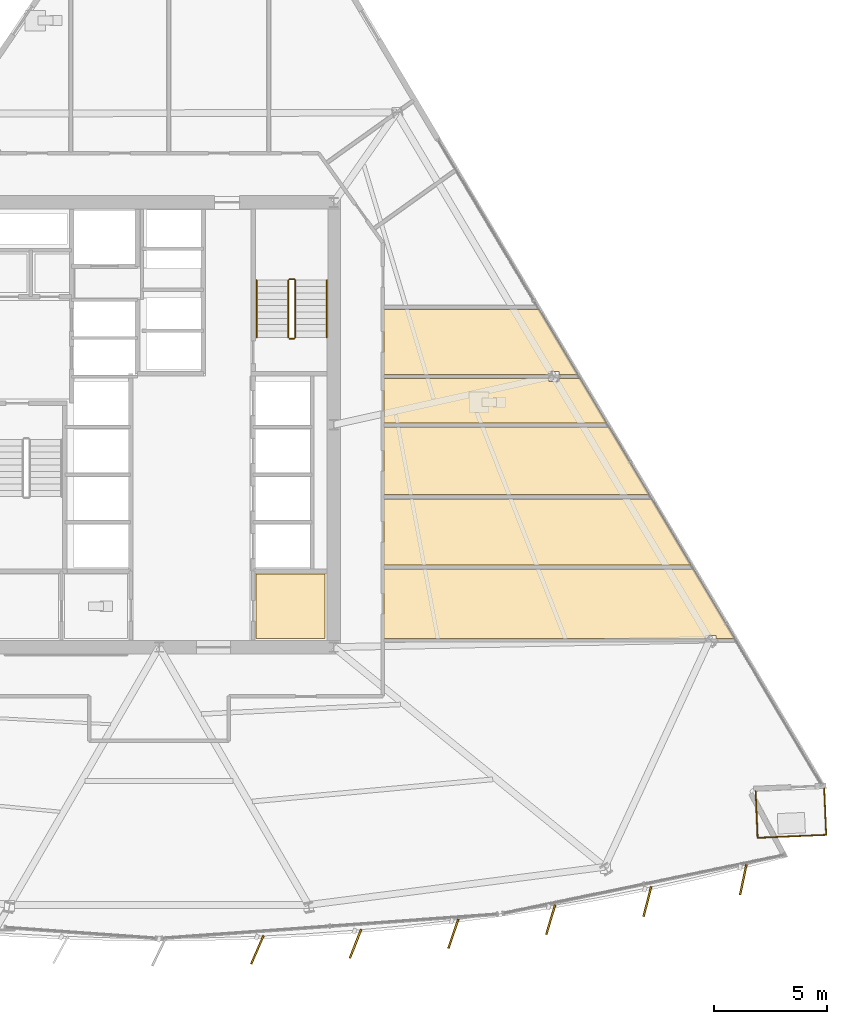
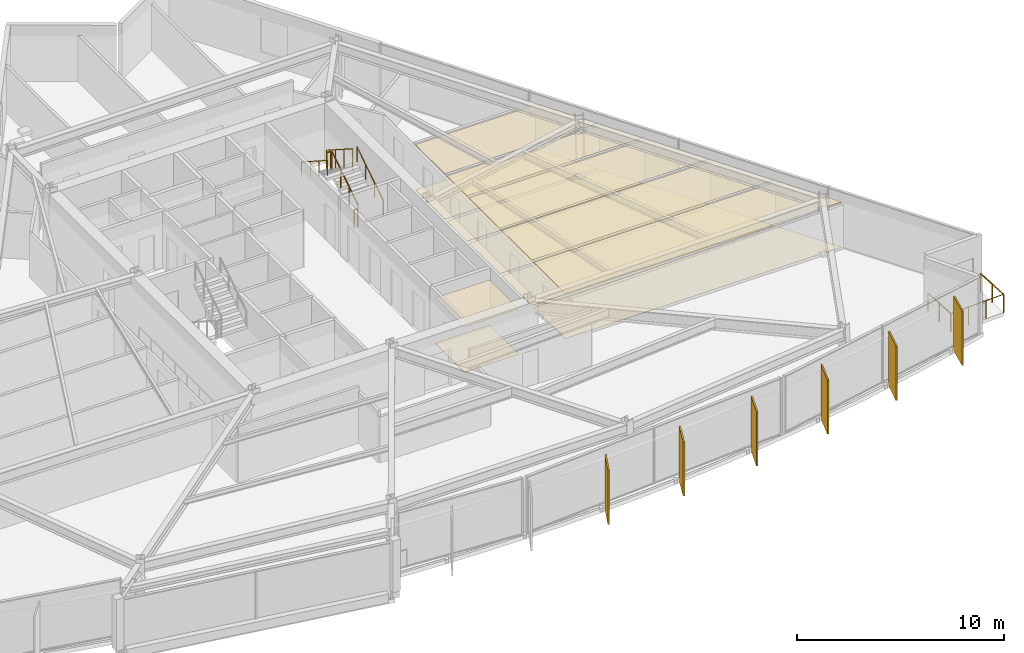
# One storey, part 15 of 17: 12 coverings, 9 railings, 6 shading devices.
"""IFC4 building model written with IfcOpenShell, lengths in metres."""

from ifc_helpers import new_model, si_unit, direction, frame, origin, origin_2d, place, context, subcontext, project, spatial, polyline, rectangle, circle, outline, extrude, material, layer, layer_set, type_object, element, save


model = new_model("IFC4")

# Units and contexts
model_context = context("Model", 3, precision=1e-05, world=origin(), true_north=direction((0.0, 1.0)))
body_context = subcontext(model_context, "Body", "Model", "MODEL_VIEW")
ifc_project = project(units=[si_unit("LENGTHUNIT", "METRE"), si_unit("AREAUNIT", "SQUARE_METRE"), si_unit("VOLUMEUNIT", "CUBIC_METRE"), si_unit("PLANEANGLEUNIT", "RADIAN"), si_unit("MASSUNIT", "GRAM", prefix="KILO")], contexts=[model_context])

# Site, building, storey
site_placement = place(None, origin())
site = spatial("IfcSite", under=ifc_project, at=site_placement, CompositionType="ELEMENT")
building_placement = place(site_placement, origin())
building = spatial("IfcBuilding", under=site, at=building_placement, Name="Savorim Split Tower", CompositionType="ELEMENT")
storey_placement = place(building_placement, frame((0.0, 0.0, 58.800048828125)))
storey = spatial("IfcBuildingStorey", under=building, at=storey_placement, Name="L15", CompositionType="ELEMENT", Elevation=58.800048828125)

# Coverings
ifc_material_1 = material(Name="Mineral Fibre Acoustic Ceiling")
ifc_layer_1 = layer(ifc_material_1, 0.02490234375)
ifc_layer_set_1 = layer_set([ifc_layer_1], Name="COV-CEIL-25")
covering_type_1 = type_object("IfcCoveringType", Name="COV-CEIL-25", PredefinedType="CEILING", material=ifc_layer_set_1)
covering_1_placement = place(storey_placement, frame((0.0, 0.0, 2.669921875)))
element("IfcCovering", 1, at=covering_1_placement, inside=storey, type_object=covering_type_1, Name="L15 Core IT Server Room Acoustic Ceiling", PredefinedType="CEILING", context=body_context, shape_type="SweptSolid", body=[
    extrude(outline(polyline([(4.280029296875, -6.179931640625), (4.280029296875, -9.02001953125), (7.320068359375, -9.02001953125), (7.320068359375, -6.179931640625), (4.280029296875, -6.179931640625)])), origin(), (0.0, 0.0, 1.0), 0.025146484375),
])
covering_2_placement = place(storey_placement, frame((0.0, 0.0, 2.669921875)))
element("IfcCovering", 2, at=covering_2_placement, inside=storey, type_object=covering_type_1, Name="L15 Maker Workshop Acoustic Ceiling", PredefinedType="CEILING", context=body_context, shape_type="SweptSolid", body=[
    extrude(outline(polyline([(24.53662109375, -8.87841796875), (24.53662109375, -9.010986328125), (25.364013671875, -9.010986328125), (25.36572265625, -9.010986328125), (23.554931640625, -5.965576171875), (9.919921875, -5.965576171875), (9.919921875, -9.010986328125), (24.104736328125, -9.010986328125), (24.104736328125, -8.87841796875), (24.53662109375, -8.87841796875)])), origin(), (0.0, 0.0, 1.0), 0.025146484375),
])
covering_3_placement = place(storey_placement, frame((0.0, 0.0, 2.669921875)))
element("IfcCovering", 3, at=covering_3_placement, inside=storey, type_object=covering_type_1, Name="L15 Maker Workshop Acoustic Ceiling", PredefinedType="CEILING", context=body_context, shape_type="SweptSolid", body=[
    extrude(outline(polyline([(23.44189453125, -5.775390625), (21.71533203125, -2.871826171875), (9.919921875, -2.871826171875), (9.919921875, -5.775390625), (23.44189453125, -5.775390625)])), origin(), (0.0, 0.0, 1.0), 0.025146484375),
])
covering_4_placement = place(storey_placement, frame((0.0, 0.0, 2.669921875)))
element("IfcCovering", 4, at=covering_4_placement, inside=storey, type_object=covering_type_1, Name="L15 Quiet Study Room Acoustic Ceiling", PredefinedType="CEILING", context=body_context, shape_type="SweptSolid", body=[
    extrude(outline(polyline([(21.602294921875, -2.681884765625), (19.83349609375, 0.292724609375), (9.919921875, 0.292724609375), (9.919921875, -2.681884765625), (21.602294921875, -2.681884765625)])), origin(), (0.0, 0.0, 1.0), 0.025146484375),
])
covering_5_placement = place(storey_placement, frame((0.0, 0.0, 2.669921875)))
element("IfcCovering", 5, at=covering_5_placement, inside=storey, type_object=covering_type_1, Name="L15 Shared Bathroom Acoustic Ceiling", PredefinedType="CEILING", context=body_context, shape_type="SweptSolid", body=[
    extrude(outline(polyline([(17.186279296875, 2.30126953125), (17.186279296875, 2.43359375), (9.919921875, 2.43359375), (9.919921875, 0.48291015625), (19.720703125, 0.48291015625), (18.541015625, 2.466796875), (18.541015625, 2.43359375), (17.618408203125, 2.43359375), (17.618408203125, 2.30126953125), (17.186279296875, 2.30126953125)])), origin(), (0.0, 0.0, 1.0), 0.025146484375),
])
covering_6_placement = place(storey_placement, frame((0.0, 0.0, 2.669921875)))
element("IfcCovering", 6, at=covering_6_placement, inside=storey, type_object=covering_type_1, Name="L15 Maker Workshop Acoustic Ceiling", PredefinedType="CEILING", context=body_context, shape_type="SweptSolid", body=[
    extrude(outline(polyline([(17.618408203125, 2.756103515625), (17.618408203125, 2.623779296875), (18.44580078125, 2.623779296875), (18.447509765625, 2.623779296875), (16.74462890625, 5.48779296875), (9.919921875, 5.48779296875), (9.919921875, 2.623779296875), (17.186279296875, 2.623779296875), (17.186279296875, 2.756103515625), (17.618408203125, 2.756103515625)])), origin(), (0.0, 0.0, 1.0), 0.025146484375),
])
ifc_material_2 = material(Name="Porcelain Stoneware Flooring", Category="masonry")
ifc_layer_2 = layer(ifc_material_2, 0.02001953125)
ifc_layer_set_2 = layer_set([ifc_layer_2], Name="COV-FLOR-20")
covering_type_2 = type_object("IfcCoveringType", Name="COV-FLOR-20", PredefinedType="FLOORING", material=ifc_layer_set_2)
covering_7_placement = place(storey_placement, origin())
element("IfcCovering", 7, at=covering_7_placement, inside=storey, type_object=covering_type_2, Name="L15 Core IT Server Room Porcelain Flooring", PredefinedType="FLOORING", context=body_context, shape_type="SweptSolid", body=[
    extrude(outline(polyline([(4.280029296875, -6.179931640625), (4.280029296875, -9.02001953125), (7.320068359375, -9.02001953125), (7.320068359375, -6.179931640625), (4.280029296875, -6.179931640625)])), origin(), (0.0, 0.0, 1.0), 0.02001953125),
])
covering_8_placement = place(storey_placement, origin())
element("IfcCovering", 8, at=covering_8_placement, inside=storey, type_object=covering_type_2, Name="L15 Maker Workshop Porcelain Flooring", PredefinedType="FLOORING", context=body_context, shape_type="SweptSolid", body=[
    extrude(outline(polyline([(24.53662109375, -8.87841796875), (24.53662109375, -9.010986328125), (25.364013671875, -9.010986328125), (25.36572265625, -9.010986328125), (23.554931640625, -5.965576171875), (9.919921875, -5.965576171875), (9.919921875, -9.010986328125), (24.104736328125, -9.010986328125), (24.104736328125, -8.87841796875), (24.53662109375, -8.87841796875)])), origin(), (0.0, 0.0, 1.0), 0.02001953125),
])
covering_9_placement = place(storey_placement, origin())
element("IfcCovering", 9, at=covering_9_placement, inside=storey, type_object=covering_type_2, Name="L15 Maker Workshop Porcelain Flooring", PredefinedType="FLOORING", context=body_context, shape_type="SweptSolid", body=[
    extrude(outline(polyline([(23.44189453125, -5.775390625), (21.71533203125, -2.871826171875), (9.919921875, -2.871826171875), (9.919921875, -5.775390625), (23.44189453125, -5.775390625)])), origin(), (0.0, 0.0, 1.0), 0.02001953125),
])
covering_10_placement = place(storey_placement, origin())
element("IfcCovering", 10, at=covering_10_placement, inside=storey, type_object=covering_type_2, Name="L15 Quiet Study Room Porcelain Flooring", PredefinedType="FLOORING", context=body_context, shape_type="SweptSolid", body=[
    extrude(outline(polyline([(21.602294921875, -2.681884765625), (19.83349609375, 0.292724609375), (9.919921875, 0.292724609375), (9.919921875, -2.681884765625), (21.602294921875, -2.681884765625)])), origin(), (0.0, 0.0, 1.0), 0.02001953125),
])
covering_11_placement = place(storey_placement, origin())
element("IfcCovering", 11, at=covering_11_placement, inside=storey, type_object=covering_type_2, Name="L15 Shared Bathroom Porcelain Flooring", PredefinedType="FLOORING", context=body_context, shape_type="SweptSolid", body=[
    extrude(outline(polyline([(17.186279296875, 2.30126953125), (17.186279296875, 2.43359375), (9.919921875, 2.43359375), (9.919921875, 0.48291015625), (19.720703125, 0.48291015625), (18.541015625, 2.466796875), (18.541015625, 2.43359375), (17.618408203125, 2.43359375), (17.618408203125, 2.30126953125), (17.186279296875, 2.30126953125)])), origin(), (0.0, 0.0, 1.0), 0.02001953125),
])
covering_12_placement = place(storey_placement, origin())
element("IfcCovering", 12, at=covering_12_placement, inside=storey, type_object=covering_type_2, Name="L15 Maker Workshop Porcelain Flooring", PredefinedType="FLOORING", context=body_context, shape_type="SweptSolid", body=[
    extrude(outline(polyline([(17.618408203125, 2.756103515625), (17.618408203125, 2.623779296875), (18.44580078125, 2.623779296875), (18.447509765625, 2.623779296875), (16.74462890625, 5.48779296875), (9.919921875, 5.48779296875), (9.919921875, 2.623779296875), (17.186279296875, 2.623779296875), (17.186279296875, 2.756103515625), (17.618408203125, 2.756103515625)])), origin(), (0.0, 0.0, 1.0), 0.02001953125),
])

# Railings
ifc_material_3 = material(Name="Galvanised Painted Steel Balustrade", Category="steel")
railing_type_1 = type_object("IfcRailingType", Name="RLG-BAL-1100", PredefinedType="BALUSTRADE", material=ifc_material_3)
railing_1_placement = place(storey_placement, frame((29.31640625, -15.626708984375, 0.0)))
element("IfcRailing", 13, at=railing_1_placement, inside=storey, type_object=railing_type_1, Name="L15 Tree Balcony Guardrail SE-1", PredefinedType="BALUSTRADE", context=body_context, shape_type="SweptSolid", body=[
    extrude(circle(Radius=0.02392578125, at=origin_2d()), frame((0.0, 0.0, 1.076171875), z_axis=(0.042398364463, -0.999100785052, 0.0), x_axis=(0.999100785052, 0.042398364463, 0.0)), (0.0, 0.0, 1.0), 2.050048828125),
    extrude(circle(Radius=0.02099609375, at=origin_2d()), origin(), (0.0, 0.0, 1.0), 1.052001953125),
    extrude(circle(Radius=0.02099609375, at=origin_2d()), frame((0.04345703125, -1.02392578125, 0.0)), (0.0, 0.0, 1.0), 1.052001953125),
    extrude(circle(Radius=0.02099609375, at=origin_2d()), frame((0.0869140625, -2.048095703125, 0.0)), (0.0, 0.0, 1.0), 1.052001953125),
])
railing_2_placement = place(storey_placement, frame((29.4033203125, -17.6748046875, 0.0)))
element("IfcRailing", 14, at=railing_2_placement, inside=storey, type_object=railing_type_1, Name="L15 Tree Balcony Guardrail SE-2", PredefinedType="BALUSTRADE", context=body_context, shape_type="SweptSolid", body=[
    extrude(circle(Radius=0.02392578125, at=origin_2d()), frame((0.0, 0.0, 1.076171875), z_axis=(-0.999096059369, -0.042509577207, 0.0), x_axis=(0.042509577207, -0.999096059369, 0.0)), (0.0, 0.0, 1.0), 3.026611328125),
    extrude(circle(Radius=0.02099609375, at=origin_2d()), origin(), (0.0, 0.0, 1.0), 1.052001953125),
    extrude(circle(Radius=0.02099609375, at=origin_2d()), frame((-1.008056640625, -0.04296875, 0.0)), (0.0, 0.0, 1.0), 1.052001953125),
    extrude(circle(Radius=0.02099609375, at=origin_2d()), frame((-2.015869140625, -0.085693359375, 0.0)), (0.0, 0.0, 1.0), 1.052001953125),
    extrude(circle(Radius=0.02099609375, at=origin_2d()), frame((-3.02392578125, -0.128662109375, 0.0)), (0.0, 0.0, 1.0), 1.052001953125),
])
railing_3_placement = place(storey_placement, frame((26.37939453125, -17.803466796875, 0.0)))
element("IfcRailing", 15, at=railing_3_placement, inside=storey, type_object=railing_type_1, Name="L15 Tree Balcony Guardrail SE-3", PredefinedType="BALUSTRADE", context=body_context, shape_type="SweptSolid", body=[
    extrude(circle(Radius=0.02392578125, at=origin_2d()), frame((0.0, 0.0, 1.076171875), z_axis=(-0.042517246, 0.999095733047, 0.0), x_axis=(-0.999095733047, -0.042517246, 0.0)), (0.0, 0.0, 1.0), 2.050048828125),
    extrude(circle(Radius=0.02099609375, at=origin_2d()), origin(), (0.0, 0.0, 1.0), 1.052001953125),
    extrude(circle(Radius=0.02099609375, at=origin_2d()), frame((-0.04345703125, 1.02392578125, 0.0)), (0.0, 0.0, 1.0), 1.052001953125),
    extrude(circle(Radius=0.02099609375, at=origin_2d()), frame((-0.087158203125, 2.048095703125, 0.0)), (0.0, 0.0, 1.0), 1.052001953125),
])
railing_type_2 = type_object("IfcRailingType", Name="RLG-HR-900", PredefinedType="HANDRAIL", material=ifc_material_3)
railing_4_placement = place(storey_placement, frame((7.39990234375, 4.25, 0.179931640625)))
element("IfcRailing", 16, at=railing_4_placement, inside=storey, type_object=railing_type_2, Name="L15 ST-2 stair handrail 1", PredefinedType="HANDRAIL", context=body_context, shape_type="SweptSolid", body=[
    extrude(circle(Radius=0.02392578125, at=origin_2d()), frame((0.0, 0.0, 0.8759765625), z_axis=(0.0, 0.841162588446, 0.540782303519), x_axis=(-1.0, 0.0, 0.0)), (0.0, 0.0, 1.0), 2.995849609375),
    extrude(circle(Radius=0.02099609375, at=origin_2d()), origin(), (0.0, 0.0, 1.0), 0.851806640625),
    extrude(circle(Radius=0.02099609375, at=origin_2d()), frame((0.0, 0.840087890625, 0.5400390625)), (0.0, 0.0, 1.0), 0.851806640625),
    extrude(circle(Radius=0.02099609375, at=origin_2d()), frame((0.0, 1.679931640625, 1.080078125)), (0.0, 0.0, 1.0), 0.851806640625),
    extrude(circle(Radius=0.02099609375, at=origin_2d()), frame((0.0, 2.52001953125, 1.6201171875)), (0.0, 0.0, 1.0), 0.851806640625),
])
railing_5_placement = place(storey_placement, frame((4.300048828125, 6.77001953125, 1.97998046875)))
element("IfcRailing", 17, at=railing_5_placement, inside=storey, type_object=railing_type_2, Name="L15 ST-2 stair handrail 2", PredefinedType="HANDRAIL", context=body_context, shape_type="SweptSolid", body=[
    extrude(circle(Radius=0.02392578125, at=origin_2d()), frame((0.0, 0.0, 0.8759765625), z_axis=(0.0, -0.841199657755, 0.540724639528), x_axis=(1.0, 0.0, 0.0)), (0.0, 0.0, 1.0), 2.995849609375),
    extrude(circle(Radius=0.02099609375, at=origin_2d()), origin(), (0.0, 0.0, 1.0), 0.851806640625),
    extrude(circle(Radius=0.02099609375, at=origin_2d()), frame((0.0, -0.840087890625, 0.5400390625)), (0.0, 0.0, 1.0), 0.851806640625),
    extrude(circle(Radius=0.02099609375, at=origin_2d()), frame((0.0, -1.679931640625, 1.079833984375)), (0.0, 0.0, 1.0), 0.851806640625),
    extrude(circle(Radius=0.02099609375, at=origin_2d()), frame((0.0, -2.52001953125, 1.619873046875)), (0.0, 0.0, 1.0), 0.851806640625),
])
railing_type_3 = type_object("IfcRailingType", Name="RLG-STG-1100", PredefinedType="BALUSTRADE", material=ifc_material_3)
railing_6_placement = place(storey_placement, frame((6.0, 4.25, 0.179931640625)))
element("IfcRailing", 18, at=railing_6_placement, inside=storey, type_object=railing_type_3, Name="L15 ST-2 stair guard 1", PredefinedType="BALUSTRADE", context=body_context, shape_type="SweptSolid", body=[
    extrude(circle(Radius=0.02392578125, at=origin_2d()), frame((0.0, 0.0, 1.076171875), z_axis=(0.0, 0.841162588446, 0.540782303519), x_axis=(-1.0, 0.0, 0.0)), (0.0, 0.0, 1.0), 2.995849609375),
    extrude(circle(Radius=0.02099609375, at=origin_2d()), origin(), (0.0, 0.0, 1.0), 1.052001953125),
    extrude(circle(Radius=0.02099609375, at=origin_2d()), frame((0.0, 0.840087890625, 0.5400390625)), (0.0, 0.0, 1.0), 1.052001953125),
    extrude(circle(Radius=0.02099609375, at=origin_2d()), frame((0.0, 1.679931640625, 1.080078125)), (0.0, 0.0, 1.0), 1.052001953125),
    extrude(circle(Radius=0.02099609375, at=origin_2d()), frame((0.0, 2.52001953125, 1.6201171875)), (0.0, 0.0, 1.0), 1.052001953125),
])
railing_7_placement = place(storey_placement, frame((5.949951171875, 6.820068359375, 1.800048828125)))
element("IfcRailing", 19, at=railing_7_placement, inside=storey, type_object=railing_type_3, Name="L15 ST-2 stair guard 2", PredefinedType="BALUSTRADE", context=body_context, shape_type="SweptSolid", body=[
    extrude(circle(Radius=0.02392578125, at=origin_2d()), frame((0.0, 0.0, 1.076171875), z_axis=(-1.0, 0.0, 0.0), x_axis=(0.0, -1.0, 0.0)), (0.0, 0.0, 1.0), 0.199951171875),
    extrude(circle(Radius=0.02099609375, at=origin_2d()), origin(), (0.0, 0.0, 1.0), 1.052001953125),
    extrude(circle(Radius=0.02099609375, at=origin_2d()), frame((-0.199951171875, 0.0, 0.0)), (0.0, 0.0, 1.0), 1.052001953125),
])
railing_8_placement = place(storey_placement, frame((5.699951171875, 6.77001953125, 1.97998046875)))
element("IfcRailing", 20, at=railing_8_placement, inside=storey, type_object=railing_type_3, Name="L15 ST-2 stair guard 3", PredefinedType="BALUSTRADE", context=body_context, shape_type="SweptSolid", body=[
    extrude(circle(Radius=0.02392578125, at=origin_2d()), frame((0.0, 0.0, 1.076171875), z_axis=(0.0, -0.841199657755, 0.540724639528), x_axis=(1.0, 0.0, 0.0)), (0.0, 0.0, 1.0), 2.995849609375),
    extrude(circle(Radius=0.02099609375, at=origin_2d()), origin(), (0.0, 0.0, 1.0), 1.052001953125),
    extrude(circle(Radius=0.02099609375, at=origin_2d()), frame((0.0, -0.840087890625, 0.5400390625)), (0.0, 0.0, 1.0), 1.052001953125),
    extrude(circle(Radius=0.02099609375, at=origin_2d()), frame((0.0, -1.679931640625, 1.079833984375)), (0.0, 0.0, 1.0), 1.052001953125),
    extrude(circle(Radius=0.02099609375, at=origin_2d()), frame((0.0, -2.52001953125, 1.619873046875)), (0.0, 0.0, 1.0), 1.052001953125),
])
railing_9_placement = place(storey_placement, frame((5.949951171875, 4.199951171875, 0.0)))
element("IfcRailing", 21, at=railing_9_placement, inside=storey, type_object=railing_type_3, Name="L15 ST-2 stair guard 4", PredefinedType="BALUSTRADE", context=body_context, shape_type="SweptSolid", body=[
    extrude(circle(Radius=0.02392578125, at=origin_2d()), frame((0.0, 0.0, 1.076171875), z_axis=(-1.0, 0.0, 0.0), x_axis=(0.0, -1.0, 0.0)), (0.0, 0.0, 1.0), 0.199951171875),
    extrude(circle(Radius=0.02099609375, at=origin_2d()), origin(), (0.0, 0.0, 1.0), 1.052001953125),
    extrude(circle(Radius=0.02099609375, at=origin_2d()), frame((-0.199951171875, 0.0, 0.0)), (0.0, 0.0, 1.0), 1.052001953125),
])

# Shading devices
ifc_material_4 = material(Name="Terracotta Ceramic-Coated Aluminium Fin", Category="masonry")
shading_device_type = type_object("IfcShadingDeviceType", Name="SHD-FIN-1360", PredefinedType="USERDEFINED", material=ifc_material_4)
for number, where, z_axis, x_axis, name in (
    (22, (4.33349609375, -22.73779296875, -0.2001953125), (0.0, 0.0, 1.0), (-0.401230091723, -0.915977299662, 0.0), "L15 Sawtooth Shading Fin 08"),
    (23, (8.659423828125, -22.4716796875, -0.2001953125), (0.0, 0.0, 1.0), (-0.363415461732, -0.931627179817, 0.0), "L15 Sawtooth Shading Fin 09"),
    (24, (12.97119140625, -22.029052734375, -0.2001953125), (0.0, 0.0, 1.0), (-0.324993810493, -0.945716143005, 0.0), "L15 Sawtooth Shading Fin 10"),
    (25, (17.260986328125, -21.410400390625, -0.2001953125), (0.0, 0.0, 1.0), (-0.286026212504, -0.958221793616, 0.0), "L15 Sawtooth Shading Fin 11"),
    (26, (21.52197265625, -20.61669921875, -0.2001953125), (0.0, 0.0, 1.0), (-0.246581250663, -0.969122121727, 0.0), "L15 Sawtooth Shading Fin 12"),
    (27, (25.746826171875, -19.649169921875, -0.2001953125), (0.0, 0.0, 1.0), (-0.206721626106, -0.978399800337, 0.0), "L15 Sawtooth Shading Fin 13"),
):
    element("IfcShadingDevice", number, at=place(storey_placement, frame(where, z_axis=z_axis, x_axis=x_axis)), inside=storey, type_object=shading_device_type, Name=name, ObjectType="FIN", PredefinedType="USERDEFINED", context=body_context, shape_type="SweptSolid", body=[
        extrude(rectangle(XDim=1.360107421875, YDim=0.080078125, at=origin_2d()), origin(), (0.0, 0.0, 1.0), 3.199951171875),
    ])

save(model, "model.ifc")
